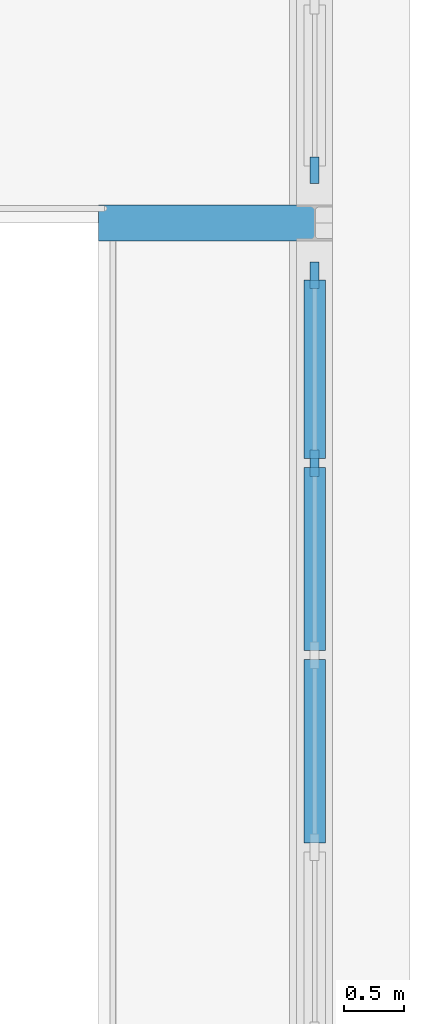
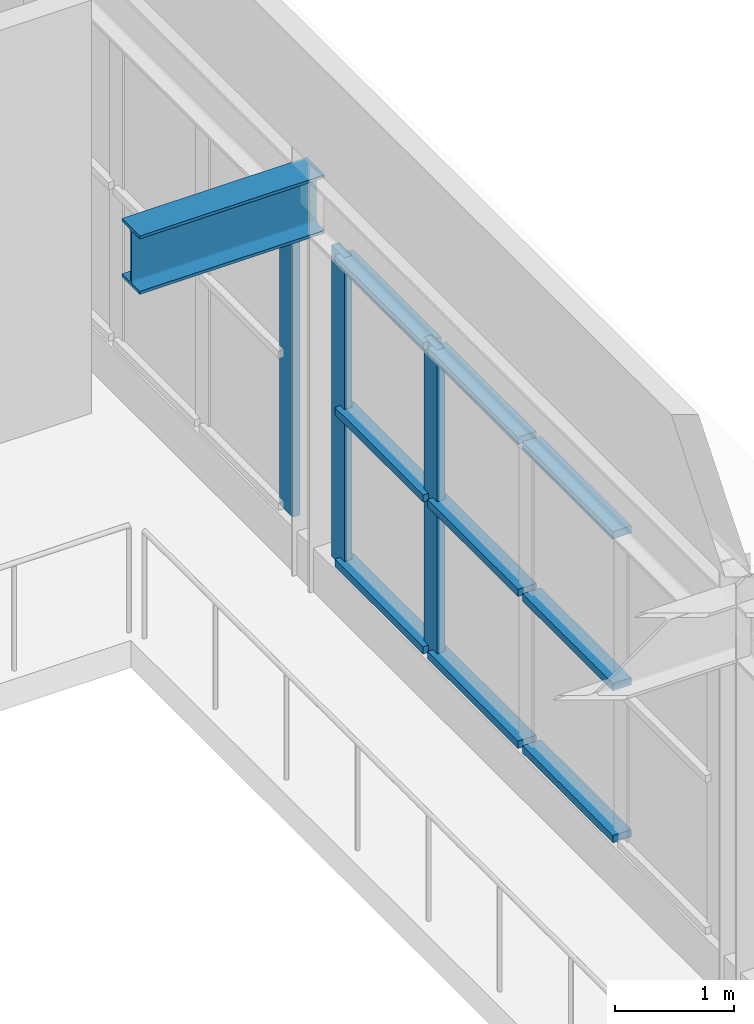
# One storey, part 8 of 18: 12 members, 1 beam, 2 elements without a shape of their own.
"""IFC4 building model written with IfcOpenShell, lengths in metres."""

from ifc_helpers import new_model, si_unit, direction, frame, origin, origin_2d, place, context, subcontext, project, spatial, rectangle, i_section, extrude, material, material_profile, profile_set, type_object, element, aggregate, save


model = new_model("IFC4")

# Units and contexts
model_context = context("Model", 3, precision=1e-05, world=origin(), true_north=direction((0.0, 1.0)))
body_context = subcontext(model_context, "Body", "Model", "MODEL_VIEW")
ifc_project = project(units=[si_unit("LENGTHUNIT", "METRE"), si_unit("AREAUNIT", "SQUARE_METRE"), si_unit("VOLUMEUNIT", "CUBIC_METRE"), si_unit("PLANEANGLEUNIT", "RADIAN"), si_unit("MASSUNIT", "GRAM", prefix="KILO")], contexts=[model_context])

# Site, building, storey
site_placement = place(None, origin())
site = spatial("IfcSite", under=ifc_project, at=site_placement, CompositionType="ELEMENT")
building_placement = place(site_placement, origin())
building = spatial("IfcBuilding", under=site, at=building_placement, Name="Mithqara Police Headquarters", CompositionType="ELEMENT")
storey_placement = place(building_placement, frame((0.0, 0.0, 30.89990234375)))
storey = spatial("IfcBuildingStorey", under=building, at=storey_placement, Name="L07", CompositionType="ELEMENT", Elevation=30.89990234375)

# Curtain wall, members
ifc_material_1 = material(Name="Bronze anodised aluminium 6063-T6", Category="aluminium")
curtain_wall_type_1 = type_object("IfcCurtainWallType", Name="CURTAIN WALL 6400X3200", PredefinedType="USERDEFINED", material=ifc_material_1)
curtain_wall_1_placement = place(storey_placement, origin())
curtain_wall_1 = element("IfcCurtainWall", 1, at=curtain_wall_1_placement, inside=storey, type_object=curtain_wall_type_1, Name="L07 Unitised Glazing CW-09 (CW-CUBE-L07-P0-E02-S0-03)", ObjectType="UNITISED GLAZING", PredefinedType="USERDEFINED")
ifc_material_profile_1 = material_profile(ifc_material_1, rectangle(XDim=0.074951171875, YDim=0.219970703125, at=origin_2d()), Name="CWM 75x220")
ifc_profile_set_1 = profile_set([ifc_material_profile_1], Name="Bronze anodised aluminium 6063-T6")
member_type_1 = type_object("IfcMemberType", Name="CWMULLION 75X220", PredefinedType="MULLION", material=ifc_profile_set_1)
member_1_placement = place(storey_placement, frame((168.0, 105.39990234375, 0.4501953125), z_axis=(0.0, 0.0, 1.0), x_axis=(-1.0, 0.0, 0.0)))
member_1 = element("IfcMember", 2, at=member_1_placement, type_object=member_type_1, Name="CW-09 mullion 4", PredefinedType="MULLION", context=body_context, shape_type="SweptSolid", body=[
    extrude(rectangle(XDim=0.074951171875, YDim=0.219970703125, at=origin_2d()), origin(), (0.0, 0.0, 1.0), 3.199951171875),
])
member_2_placement = place(storey_placement, frame((168.0, 106.96240234375, 0.4501953125), z_axis=(0.0, 0.0, 1.0), x_axis=(-1.0, 0.0, 0.0)))
member_2 = element("IfcMember", 3, at=member_2_placement, type_object=member_type_1, Name="CW-09 mullion 5", PredefinedType="MULLION", context=body_context, shape_type="SweptSolid", body=[
    extrude(rectangle(XDim=0.074951171875, YDim=0.219970703125, at=origin_2d()), origin(), (0.0, 0.0, 1.0), 3.199951171875),
])

# Curtain wall, member
curtain_wall_type_2 = type_object("IfcCurtainWallType", Name="CURTAIN WALL 5800X3200", PredefinedType="USERDEFINED", material=ifc_material_1)
curtain_wall_2_placement = place(storey_placement, origin())
curtain_wall_2 = element("IfcCurtainWall", 4, at=curtain_wall_2_placement, inside=storey, type_object=curtain_wall_type_2, Name="L07 Unitised Glazing CW-10 (CW-CUBE-L07-P0-E02-S0-04)", ObjectType="UNITISED GLAZING", PredefinedType="USERDEFINED")
member_3_placement = place(storey_placement, frame((168.0, 107.83740234375, 0.4501953125), z_axis=(0.0, 0.0, 1.0), x_axis=(-1.0, 0.0, 0.0)))
member_3 = element("IfcMember", 5, at=member_3_placement, type_object=member_type_1, Name="CW-10 mullion 1", PredefinedType="MULLION", context=body_context, shape_type="SweptSolid", body=[
    extrude(rectangle(XDim=0.074951171875, YDim=0.219970703125, at=origin_2d()), origin(), (0.0, 0.0, 1.0), 3.199951171875),
])
aggregate(curtain_wall_2, [member_3])

# Member
ifc_material_profile_2 = material_profile(ifc_material_1, rectangle(XDim=0.179931640625, YDim=0.074951171875, at=origin_2d()), Name="CWT 180x75")
ifc_profile_set_2 = profile_set([ifc_material_profile_2], Name="Bronze anodised aluminium 6063-T6")
member_type_2 = type_object("IfcMemberType", Name="CWTRANSOM 180X75", PredefinedType="USERDEFINED", material=ifc_profile_set_2)
member_4_placement = place(storey_placement, frame((168.0, 102.237548828125, 0.487548828125), z_axis=(0.0, 1.0, 0.0), x_axis=(-1.0, 0.0, 0.0)))
member_4 = element("IfcMember", 6, at=member_4_placement, type_object=member_type_2, Name="CW-09 transom 2.1", ObjectType="TRANSOM", PredefinedType="USERDEFINED", context=body_context, shape_type="SweptSolid", body=[
    extrude(rectangle(XDim=0.179931640625, YDim=0.074951171875, at=origin_2d()), origin(), (0.0, 0.0, 1.0), 1.52490234375),
])

member_5_placement = place(storey_placement, frame((168.0, 102.237548828125, 2.050048828125), z_axis=(0.0, 1.0, 0.0), x_axis=(-1.0, 0.0, 0.0)))
member_5 = element("IfcMember", 7, at=member_5_placement, type_object=member_type_2, Name="CW-09 transom 2.2", ObjectType="TRANSOM", PredefinedType="USERDEFINED", context=body_context, shape_type="SweptSolid", body=[
    extrude(rectangle(XDim=0.179931640625, YDim=0.074951171875, at=origin_2d()), origin(), (0.0, 0.0, 1.0), 1.52490234375),
])

member_6_placement = place(storey_placement, frame((168.0, 102.237548828125, 3.612548828125), z_axis=(0.0, 1.0, 0.0), x_axis=(-1.0, 0.0, 0.0)))
member_6 = element("IfcMember", 8, at=member_6_placement, type_object=member_type_2, Name="CW-09 transom 2.3", ObjectType="TRANSOM", PredefinedType="USERDEFINED", context=body_context, shape_type="SweptSolid", body=[
    extrude(rectangle(XDim=0.179931640625, YDim=0.074951171875, at=origin_2d()), origin(), (0.0, 0.0, 1.0), 1.52490234375),
])

member_7_placement = place(storey_placement, frame((168.0, 103.83740234375, 0.487548828125), z_axis=(0.0, 1.0, 0.0), x_axis=(-1.0, 0.0, 0.0)))
member_7 = element("IfcMember", 9, at=member_7_placement, type_object=member_type_2, Name="CW-09 transom 3.1", ObjectType="TRANSOM", PredefinedType="USERDEFINED", context=body_context, shape_type="SweptSolid", body=[
    extrude(rectangle(XDim=0.179931640625, YDim=0.074951171875, at=origin_2d()), origin(), (0.0, 0.0, 1.0), 1.525146484375),
])

member_8_placement = place(storey_placement, frame((168.0, 103.83740234375, 2.050048828125), z_axis=(0.0, 1.0, 0.0), x_axis=(-1.0, 0.0, 0.0)))
member_8 = element("IfcMember", 10, at=member_8_placement, type_object=member_type_2, Name="CW-09 transom 3.2", ObjectType="TRANSOM", PredefinedType="USERDEFINED", context=body_context, shape_type="SweptSolid", body=[
    extrude(rectangle(XDim=0.179931640625, YDim=0.074951171875, at=origin_2d()), origin(), (0.0, 0.0, 1.0), 1.525146484375),
])

member_9_placement = place(storey_placement, frame((168.0, 103.83740234375, 3.612548828125), z_axis=(0.0, 1.0, 0.0), x_axis=(-1.0, 0.0, 0.0)))
member_9 = element("IfcMember", 11, at=member_9_placement, type_object=member_type_2, Name="CW-09 transom 3.3", ObjectType="TRANSOM", PredefinedType="USERDEFINED", context=body_context, shape_type="SweptSolid", body=[
    extrude(rectangle(XDim=0.179931640625, YDim=0.074951171875, at=origin_2d()), origin(), (0.0, 0.0, 1.0), 1.525146484375),
])

member_10_placement = place(storey_placement, frame((168.0, 105.4375, 0.487548828125), z_axis=(0.0, 1.0, 0.0), x_axis=(-1.0, 0.0, 0.0)))
member_10 = element("IfcMember", 12, at=member_10_placement, type_object=member_type_2, Name="CW-09 transom 4.1", ObjectType="TRANSOM", PredefinedType="USERDEFINED", context=body_context, shape_type="SweptSolid", body=[
    extrude(rectangle(XDim=0.179931640625, YDim=0.074951171875, at=origin_2d()), origin(), (0.0, 0.0, 1.0), 1.487548828125),
])

member_11_placement = place(storey_placement, frame((168.0, 105.4375, 2.050048828125), z_axis=(0.0, 1.0, 0.0), x_axis=(-1.0, 0.0, 0.0)))
member_11 = element("IfcMember", 13, at=member_11_placement, type_object=member_type_2, Name="CW-09 transom 4.2", ObjectType="TRANSOM", PredefinedType="USERDEFINED", context=body_context, shape_type="SweptSolid", body=[
    extrude(rectangle(XDim=0.179931640625, YDim=0.074951171875, at=origin_2d()), origin(), (0.0, 0.0, 1.0), 1.487548828125),
])

member_12_placement = place(storey_placement, frame((168.0, 105.4375, 3.612548828125), z_axis=(0.0, 1.0, 0.0), x_axis=(-1.0, 0.0, 0.0)))
member_12 = element("IfcMember", 14, at=member_12_placement, type_object=member_type_2, Name="CW-09 transom 4.3", ObjectType="TRANSOM", PredefinedType="USERDEFINED", context=body_context, shape_type="SweptSolid", body=[
    extrude(rectangle(XDim=0.179931640625, YDim=0.074951171875, at=origin_2d()), origin(), (0.0, 0.0, 1.0), 1.487548828125),
])

aggregate(curtain_wall_1, [member_1, member_2, member_4, member_5, member_6, member_7, member_8, member_9, member_10, member_11, member_12])

# Beam
ifc_material_2 = material(Name="Steel S355JR", Category="steel")
ifc_material_profile_3 = material_profile(ifc_material_2, i_section(OverallWidth=0.300048828125, OverallDepth=0.60009765625, WebThickness=0.015380859375, FlangeThickness=0.030029296875, FilletRadius=0.027099609375, at=origin_2d()), Name="HEB 600")
ifc_profile_set_3 = profile_set([ifc_material_profile_3], Name="Steel S355JR")
beam_type = type_object("IfcBeamType", Name="TRANSFER HEB600", PredefinedType="BEAM", material=ifc_profile_set_3)
beam_placement = place(storey_placement, frame((166.199951171875, 107.39990234375, 3.9501953125), z_axis=(1.0, 0.0, 0.0), x_axis=(0.0, 1.0, 0.0)))
element("IfcBeam", 15, at=beam_placement, inside=storey, type_object=beam_type, Name="L07 Command Cube Cantilever Transfer Girder Y-R", PredefinedType="BEAM", context=body_context, shape_type="SweptSolid", body=[
    extrude(i_section(OverallWidth=0.300048828125, OverallDepth=0.60009765625, WebThickness=0.015380859375, FlangeThickness=0.030029296875, FilletRadius=0.027099609375, at=origin_2d()), origin(), (0.0, 0.0, 1.0), 1.800048828125),
])

save(model, "model.ifc")
